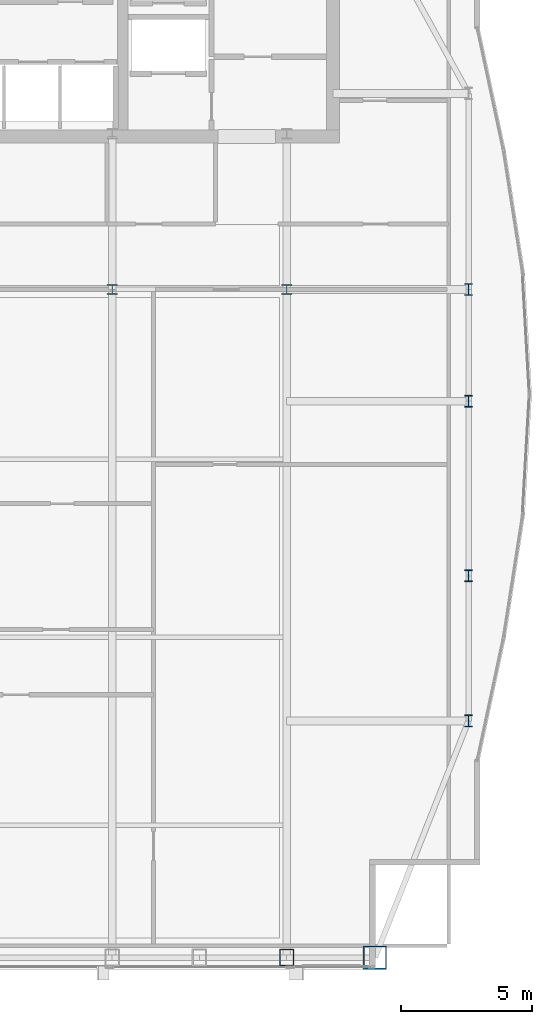
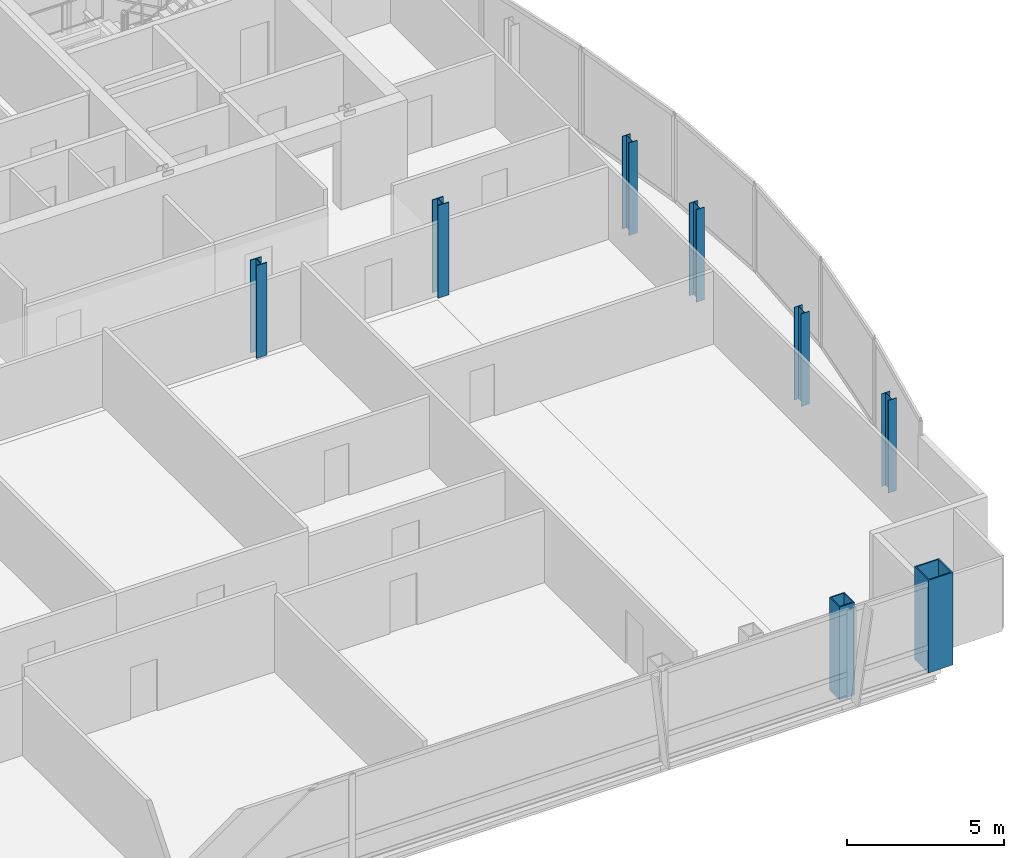
# One storey, part 2 of 29: 8 columns.
"""IFC4 building model written with IfcOpenShell, lengths in metres."""

from ifc_helpers import new_model, si_unit, direction, frame, origin, origin_2d, place, context, subcontext, project, spatial, hollow_rectangle, i_section, extrude, material, material_profile, profile_set, type_object, element, save


model = new_model("IFC4")

# Units and contexts
model_context = context("Model", 3, precision=1e-05, world=origin(), true_north=direction((0.0, 1.0)))
body_context = subcontext(model_context, "Body", "Model", "MODEL_VIEW")
ifc_project = project(units=[si_unit("LENGTHUNIT", "METRE"), si_unit("AREAUNIT", "SQUARE_METRE"), si_unit("VOLUMEUNIT", "CUBIC_METRE"), si_unit("PLANEANGLEUNIT", "RADIAN"), si_unit("MASSUNIT", "GRAM", prefix="KILO")], contexts=[model_context])

# Site, building, storey
site_placement = place(None, origin())
site = spatial("IfcSite", under=ifc_project, at=site_placement, CompositionType="ELEMENT")
building_placement = place(site_placement, origin())
building = spatial("IfcBuilding", under=site, at=building_placement, Name="Khoronbel Lancet Exchange", CompositionType="ELEMENT")
storey_placement = place(building_placement, frame((0.0, 0.0, 329.0)))
storey = spatial("IfcBuildingStorey", under=building, at=storey_placement, Name="L85", CompositionType="ELEMENT", Elevation=329.0)

# Columns
ifc_material_1 = material(Name="Steel S460", Category="steel")
ifc_material_profile_1 = material_profile(ifc_material_1, hollow_rectangle(XDim=0.550048828125, YDim=0.64990234375, WallThickness=0.0400390625, at=origin_2d()), Name="BOX 650x550x40")
ifc_profile_set_1 = profile_set([ifc_material_profile_1], Name="Steel S460")
column_type_1 = type_object("IfcColumnType", Name="COL-EC4", PredefinedType="COLUMN", material=ifc_profile_set_1)
column_1_placement = place(storey_placement, frame((54.675048828125, 10.14990234375, 0.0), z_axis=(0.0, 0.0, 1.0), x_axis=(1.0, 0.0, 0.0)))
element("IfcColumn", 1, at=column_1_placement, inside=storey, type_object=column_type_1, Name="Structural column SC-E2 L85", PredefinedType="COLUMN", context=body_context, shape_type="SweptSolid", body=[
    extrude(hollow_rectangle(XDim=0.550048828125, YDim=0.64990234375, WallThickness=0.0400390625, at=origin_2d()), origin(), (0.0, 0.0, 1.0), 3.60009765625),
])
ifc_material_2 = material(Name="Steel S355", Category="steel")
ifc_material_profile_2 = material_profile(ifc_material_2, i_section(OverallWidth=0.39892578125, OverallDepth=0.39306640625, WebThickness=0.022705078125, FlangeThickness=0.03662109375, at=origin_2d()), Name="HD 400x287")
ifc_profile_set_2 = profile_set([ifc_material_profile_2], Name="Steel S355")
column_type_2 = type_object("IfcColumnType", Name="COL-IC4", PredefinedType="COLUMN", material=ifc_profile_set_2)
for number, where, z_axis, x_axis, name in (
    (2, (48.0, 35.699951171875, 0.0), (0.0, 0.0, 1.0), (1.0, 0.0, 0.0), "Spine gravity column TC3 L85"),
    (3, (54.675048828125, 35.699951171875, 0.0), (0.0, 0.0, 1.0), (1.0, 0.0, 0.0), "Spine gravity column TC4 L85"),
):
    element("IfcColumn", number, at=place(storey_placement, frame(where, z_axis=z_axis, x_axis=x_axis)), inside=storey, type_object=column_type_2, Name=name, PredefinedType="COLUMN", context=body_context, shape_type="SweptSolid", body=[
        extrude(i_section(OverallWidth=0.39892578125, OverallDepth=0.39306640625, WebThickness=0.022705078125, FlangeThickness=0.03662109375, at=origin_2d()), origin(), (0.0, 0.0, 1.0), 3.60009765625),
    ])
ifc_material_profile_3 = material_profile(ifc_material_2, i_section(OverallWidth=0.300048828125, OverallDepth=0.449951171875, WebThickness=0.013916015625, FlangeThickness=0.02587890625, at=origin_2d()), Name="HEB 450")
ifc_profile_set_3 = profile_set([ifc_material_profile_3], Name="Steel S355")
column_type_3 = type_object("IfcColumnType", Name="COL-LC2", PredefinedType="COLUMN", material=ifc_profile_set_3)
for number, where, z_axis, x_axis, name in (
    (4, (61.6298828125, 19.199951171875, 0.0), (0.0, 0.0, 1.0), (1.0, 0.0, 0.0), "Structural column EC-1 L85"),
    (5, (61.6298828125, 24.75, 0.0), (0.0, 0.0, 1.0), (1.0, 0.0, 0.0), "Structural column EC-2 L85"),
    (6, (61.6298828125, 31.425048828125, 0.0), (0.0, 0.0, 1.0), (1.0, 0.0, 0.0), "Structural column EC-M L85"),
    (7, (61.6298828125, 35.699951171875, 0.0), (0.0, 0.0, 1.0), (1.0, 0.0, 0.0), "Structural column EC-3 L85"),
):
    element("IfcColumn", number, at=place(storey_placement, frame(where, z_axis=z_axis, x_axis=x_axis)), inside=storey, type_object=column_type_3, Name=name, PredefinedType="COLUMN", context=body_context, shape_type="SweptSolid", body=[
        extrude(i_section(OverallWidth=0.300048828125, OverallDepth=0.449951171875, WebThickness=0.013916015625, FlangeThickness=0.02587890625, at=origin_2d()), origin(), (0.0, 0.0, 1.0), 3.60009765625),
    ])
ifc_material_profile_4 = material_profile(ifc_material_1, hollow_rectangle(XDim=0.89990234375, YDim=0.89990234375, WallThickness=0.050048828125, at=origin_2d()), Name="BOX 900x900x50")
ifc_profile_set_4 = profile_set([ifc_material_profile_4], Name="Steel S460")
column_type_4 = type_object("IfcColumnType", Name="COL-MC7", PredefinedType="COLUMN", material=ifc_profile_set_4)
column_2_placement = place(storey_placement, frame((58.050048828125, 10.14990234375, 0.0), z_axis=(0.0, 0.0, 1.0), x_axis=(1.0, 0.0, 0.0)))
element("IfcColumn", 8, at=column_2_placement, inside=storey, type_object=column_type_4, Name="Structural column MC-SE L85", PredefinedType="COLUMN", context=body_context, shape_type="SweptSolid", body=[
    extrude(hollow_rectangle(XDim=0.89990234375, YDim=0.89990234375, WallThickness=0.050048828125, at=origin_2d()), origin(), (0.0, 0.0, 1.0), 3.60009765625),
])

save(model, "model.ifc")
